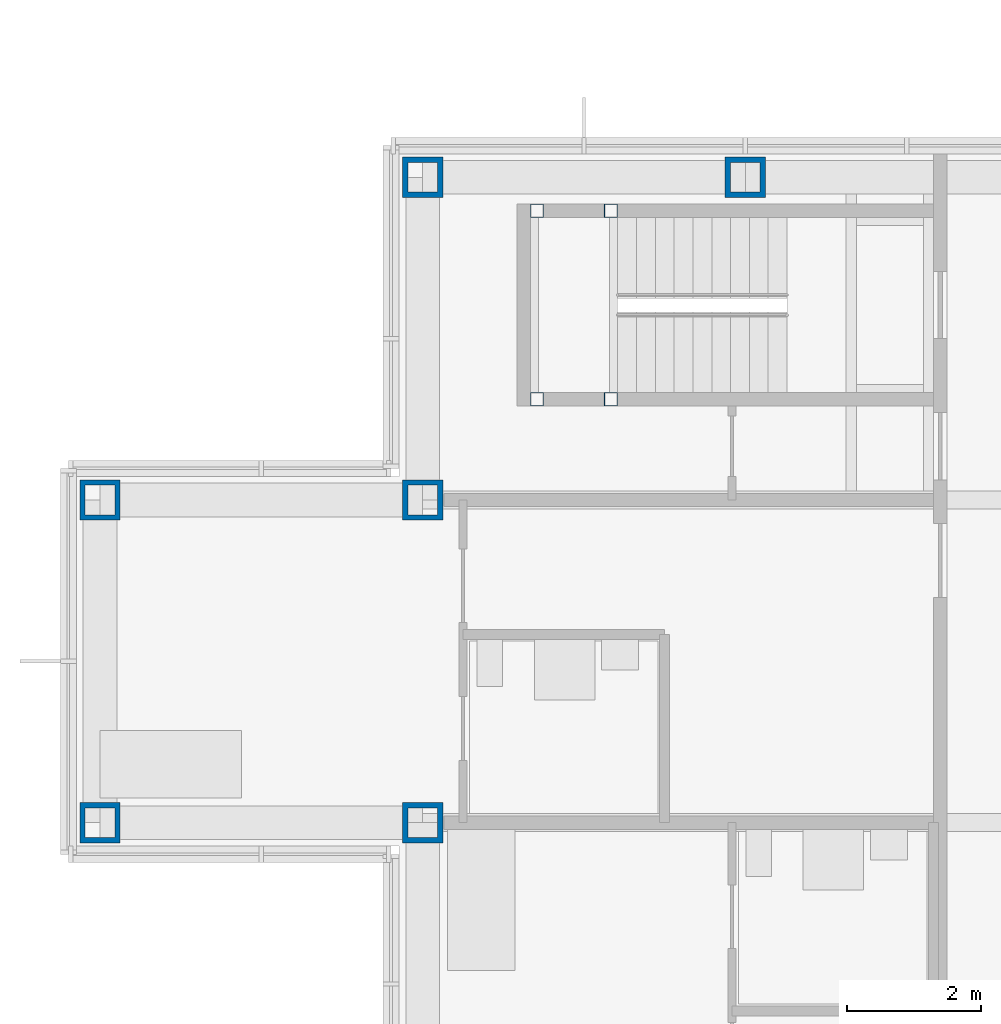
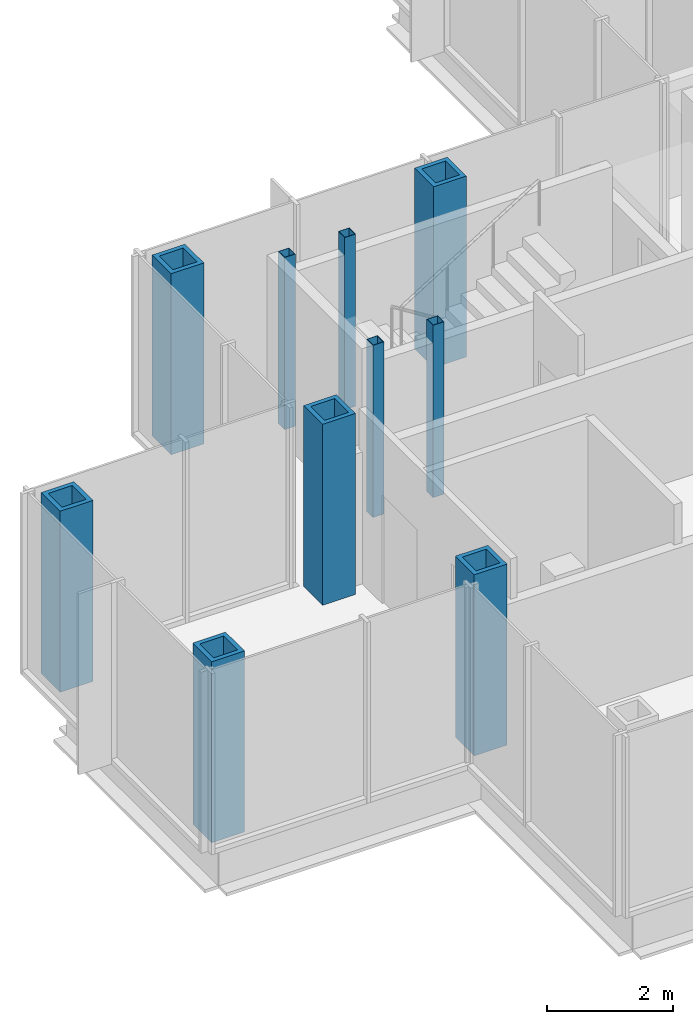
# One storey, part 3 of 17: 10 columns.
"""IFC4 building model written with IfcOpenShell, lengths in metres."""

from ifc_helpers import new_model, si_unit, direction, frame, origin, origin_2d, place, context, subcontext, project, spatial, hollow_rectangle, extrude, material, material_profile, profile_set, type_object, element, save


model = new_model("IFC4")

# Units and contexts
model_context = context("Model", 3, precision=1e-05, world=origin(), true_north=direction((0.0, 1.0)))
body_context = subcontext(model_context, "Body", "Model", "MODEL_VIEW")
ifc_project = project(units=[si_unit("LENGTHUNIT", "METRE"), si_unit("AREAUNIT", "SQUARE_METRE"), si_unit("VOLUMEUNIT", "CUBIC_METRE"), si_unit("PLANEANGLEUNIT", "RADIAN"), si_unit("MASSUNIT", "GRAM", prefix="KILO")], contexts=[model_context])

# Site, building, storey
site_placement = place(None, origin())
site = spatial("IfcSite", under=ifc_project, at=site_placement, CompositionType="ELEMENT")
building_placement = place(site_placement, origin())
building = spatial("IfcBuilding", under=site, at=building_placement, Name="Kvirike Care Tower", CompositionType="ELEMENT")
storey_placement = place(building_placement, frame((0.0, 0.0, 176.0)))
storey = spatial("IfcBuildingStorey", under=building, at=storey_placement, Name="L48", CompositionType="ELEMENT", Elevation=176.0)

# Columns
ifc_material_1 = material(Name="Steel S460", Category="steel")
ifc_material_profile_1 = material_profile(ifc_material_1, hollow_rectangle(XDim=0.60009765625, YDim=0.60009765625, WallThickness=0.080078125, at=origin_2d()), Name="BX 600x600x80")
ifc_profile_set_1 = profile_set([ifc_material_profile_1], Name="Steel S460")
column_type_1 = type_object("IfcColumnType", Name="COLUMN BX 600x600x80", PredefinedType="COLUMN", material=ifc_profile_set_1)
for number, where, z_axis, x_axis, name in (
    (1, (0.0, 33.60009765625, 0.0), (0.0, 0.0, 1.0), (0.0, 1.0, 0.0), "Column H3 L48"),
    (2, (0.0, 38.39990234375, 0.0), (0.0, 0.0, 1.0), (0.0, 1.0, 0.0), "Column J3 L48"),
    (3, (4.800048828125, 33.60009765625, 0.0), (0.0, 0.0, 1.0), (0.0, 1.0, 0.0), "Column H4 L48"),
    (4, (4.800048828125, 38.39990234375, 0.0), (0.0, 0.0, 1.0), (0.0, 1.0, 0.0), "Column J4 L48"),
    (5, (4.800048828125, 43.199951171875, 0.0), (0.0, 0.0, 1.0), (0.0, 1.0, 0.0), "Column K4 L48"),
    (6, (9.60009765625, 43.199951171875, 0.0), (0.0, 0.0, 1.0), (0.0, 1.0, 0.0), "Column K5 L48"),
):
    element("IfcColumn", number, at=place(storey_placement, frame(where, z_axis=z_axis, x_axis=x_axis)), inside=storey, type_object=column_type_1, Name=name, PredefinedType="COLUMN", context=body_context, shape_type="SweptSolid", body=[
        extrude(hollow_rectangle(XDim=0.60009765625, YDim=0.60009765625, WallThickness=0.080078125, at=origin_2d()), origin(), (0.0, 0.0, 1.0), 3.5),
    ])
ifc_material_2 = material(Name="Steel S460", Category="steel")
ifc_material_profile_2 = material_profile(ifc_material_2, hollow_rectangle(XDim=0.199951171875, YDim=0.199951171875, WallThickness=0.008056640625, at=origin_2d()), Name="SHS 200x200x8")
ifc_profile_set_2 = profile_set([ifc_material_profile_2], Name="Steel S460")
column_type_2 = type_object("IfcColumnType", Name="STAIR POST SHS 200x200x8", PredefinedType="COLUMN", material=ifc_profile_set_2)
for number, where, z_axis, x_axis, name in (
    (7, (6.5, 42.699951171875, 0.0), (0.0, 0.0, 1.0), (1.0, 0.0, 0.0), "Stair 1 post 1 L48"),
    (8, (6.5, 39.89990234375, 0.0), (0.0, 0.0, 1.0), (1.0, 0.0, 0.0), "Stair 1 post 2 L48"),
    (9, (7.60009765625, 42.699951171875, 0.0), (0.0, 0.0, 1.0), (1.0, 0.0, 0.0), "Stair 1 post 3 L48"),
    (10, (7.60009765625, 39.89990234375, 0.0), (0.0, 0.0, 1.0), (1.0, 0.0, 0.0), "Stair 1 post 4 L48"),
):
    element("IfcColumn", number, at=place(storey_placement, frame(where, z_axis=z_axis, x_axis=x_axis)), inside=storey, type_object=column_type_2, Name=name, PredefinedType="COLUMN", context=body_context, shape_type="SweptSolid", body=[
        extrude(hollow_rectangle(XDim=0.199951171875, YDim=0.199951171875, WallThickness=0.008056640625, at=origin_2d()), origin(), (0.0, 0.0, 1.0), 3.330078125),
    ])

save(model, "model.ifc")
